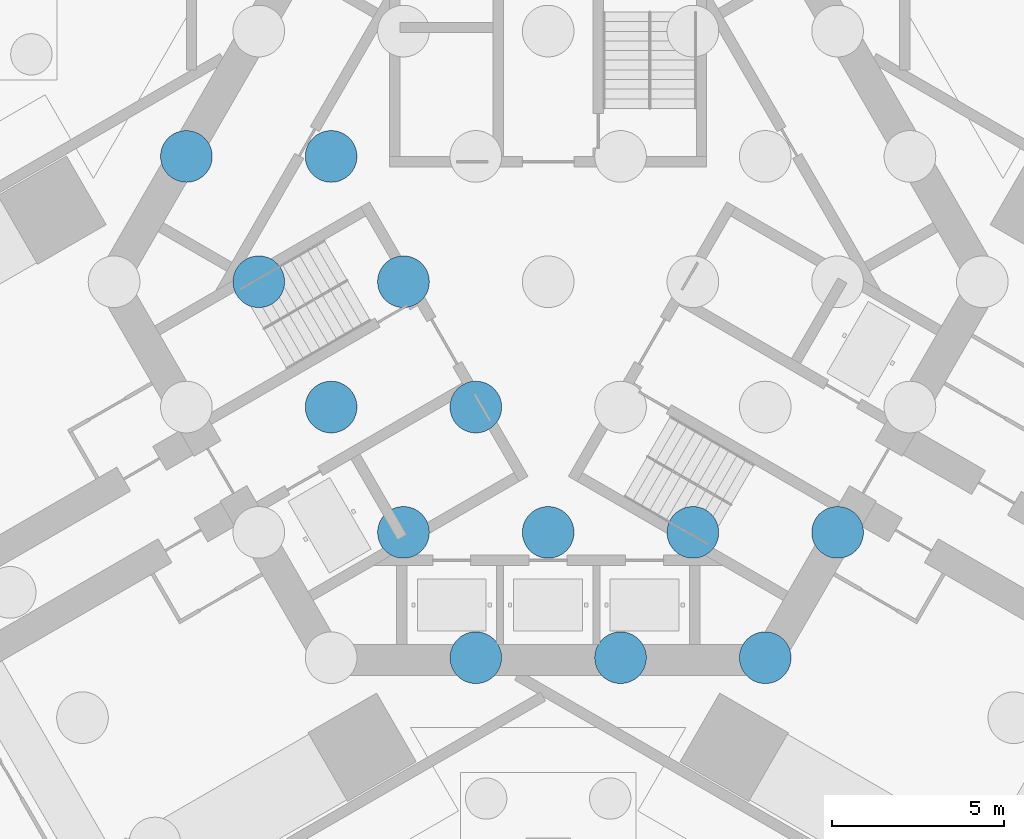
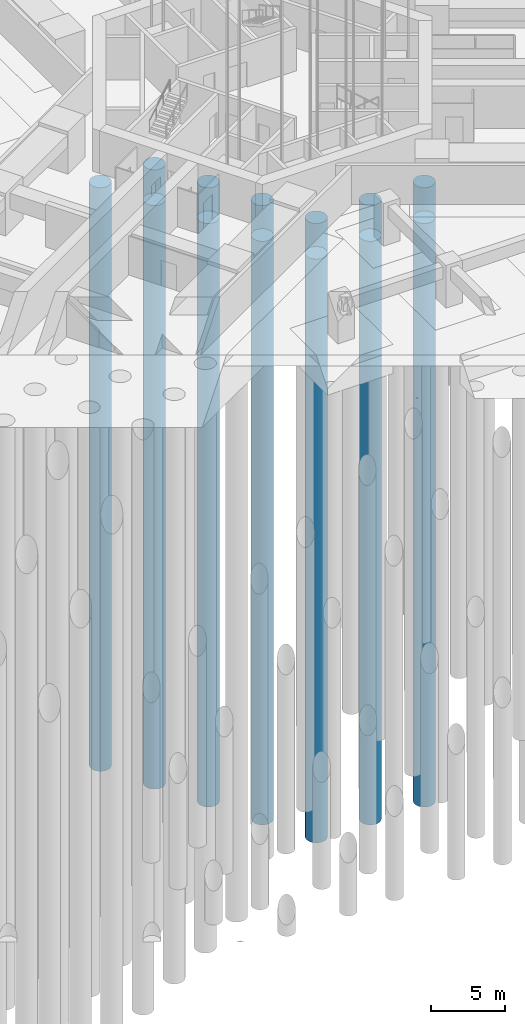
# One storey, part 16 of 73: 13 piles.
"""IFC4 building model written with IfcOpenShell, lengths in metres."""

from ifc_helpers import new_model, si_unit, direction, frame, origin, origin_2d, place, context, subcontext, project, spatial, polyline, circle, outline, extrude, material, material_profile, profile_set, type_object, element, save


model = new_model("IFC4")

# Units and contexts
model_context = context("Model", 3, precision=1e-05, world=origin(), true_north=direction((0.0, 1.0)))
body_context = subcontext(model_context, "Body", "Model", "MODEL_VIEW")
ifc_project = project(units=[si_unit("LENGTHUNIT", "METRE"), si_unit("AREAUNIT", "SQUARE_METRE"), si_unit("VOLUMEUNIT", "CUBIC_METRE"), si_unit("PLANEANGLEUNIT", "RADIAN"), si_unit("MASSUNIT", "GRAM", prefix="KILO")], contexts=[model_context])

# Site, building, storey
site_placement = place(None, origin())
site = spatial("IfcSite", under=ifc_project, at=site_placement, CompositionType="ELEMENT")
building_placement = place(site_placement, origin())
building = spatial("IfcBuilding", under=site, at=building_placement, Name="Impinga Residences", CompositionType="ELEMENT")
storey_placement = place(building_placement, frame((0.0, 0.0, -10.5)))
storey = spatial("IfcBuildingStorey", under=building, at=storey_placement, Name="B3", CompositionType="ELEMENT", Elevation=-10.5)

# Piles
ifc_material = material(Name="Concrete C35/45", Category="concrete")
ifc_material_profile = material_profile(ifc_material, circle(Radius=0.75, at=origin_2d()), Name="D1500")
ifc_profile_set = profile_set([ifc_material_profile], Name="Concrete C35/45")
pile_type = type_object("IfcPileType", Name="BP1 bored pile D1500", PredefinedType="BORED", material=ifc_profile_set)
pile_1_placement = place(storey_placement, frame((-2.10009765625, -10.911865234375, -4.0), z_axis=(0.0, 0.0, -1.0), x_axis=(1.0, 0.0, 0.0)))
element("IfcPile", 1, at=pile_1_placement, inside=storey, type_object=pile_type, Name="Raft pile BP1-060", PredefinedType="BORED", context=body_context, shape_type="SweptSolid", body=[
    extrude(outline(polyline([(0.75, 0.0), (0.746337890625, 0.073486328125), (0.735595703125, 0.146240234375), (0.7177734375, 0.2177734375), (0.69287109375, 0.287109375), (0.661376953125, 0.353515625), (0.62353515625, 0.416748046875), (0.579833984375, 0.475830078125), (0.5302734375, 0.5302734375), (0.475830078125, 0.579833984375), (0.416748046875, 0.62353515625), (0.353515625, 0.661376953125), (0.287109375, 0.69287109375), (0.2177734375, 0.7177734375), (0.146240234375, 0.735595703125), (0.073486328125, 0.746337890625), (0.0, 0.75), (-0.073486328125, 0.746337890625), (-0.146240234375, 0.735595703125), (-0.2177734375, 0.7177734375), (-0.287109375, 0.69287109375), (-0.353515625, 0.661376953125), (-0.416748046875, 0.62353515625), (-0.475830078125, 0.579833984375), (-0.5302734375, 0.5302734375), (-0.579833984375, 0.475830078125), (-0.62353515625, 0.416748046875), (-0.661376953125, 0.353515625), (-0.69287109375, 0.287109375), (-0.7177734375, 0.2177734375), (-0.735595703125, 0.146240234375), (-0.746337890625, 0.073486328125), (-0.75, 0.0), (-0.746337890625, -0.073486328125), (-0.735595703125, -0.146240234375), (-0.7177734375, -0.2177734375), (-0.69287109375, -0.287109375), (-0.661376953125, -0.353515625), (-0.62353515625, -0.416748046875), (-0.579833984375, -0.475830078125), (-0.5302734375, -0.5302734375), (-0.475830078125, -0.579833984375), (-0.416748046875, -0.62353515625), (-0.353515625, -0.661376953125), (-0.287109375, -0.69287109375), (-0.2177734375, -0.7177734375), (-0.146240234375, -0.735595703125), (-0.073486328125, -0.746337890625), (0.0, -0.75), (0.073486328125, -0.746337890625), (0.146240234375, -0.735595703125), (0.2177734375, -0.7177734375), (0.287109375, -0.69287109375), (0.353515625, -0.661376953125), (0.416748046875, -0.62353515625), (0.475830078125, -0.579833984375), (0.5302734375, -0.5302734375), (0.579833984375, -0.475830078125), (0.62353515625, -0.416748046875), (0.661376953125, -0.353515625), (0.69287109375, -0.287109375), (0.7177734375, -0.2177734375), (0.735595703125, -0.146240234375), (0.746337890625, -0.073486328125), (0.75, 0.0)])), origin(), (0.0, 0.0, 1.0), 48.0),
])
pile_2_placement = place(storey_placement, frame((2.10009765625, -10.911865234375, -4.0), z_axis=(0.0, 0.0, -1.0), x_axis=(1.0, 0.0, 0.0)))
element("IfcPile", 2, at=pile_2_placement, inside=storey, type_object=pile_type, Name="Raft pile BP1-061", PredefinedType="BORED", context=body_context, shape_type="SweptSolid", body=[
    extrude(outline(polyline([(0.75, 0.0), (0.746337890625, 0.073486328125), (0.735595703125, 0.146240234375), (0.7177734375, 0.2177734375), (0.69287109375, 0.287109375), (0.661376953125, 0.353515625), (0.62353515625, 0.416748046875), (0.579833984375, 0.475830078125), (0.5302734375, 0.5302734375), (0.475830078125, 0.579833984375), (0.416748046875, 0.62353515625), (0.353515625, 0.661376953125), (0.287109375, 0.69287109375), (0.2177734375, 0.7177734375), (0.146240234375, 0.735595703125), (0.073486328125, 0.746337890625), (0.0, 0.75), (-0.073486328125, 0.746337890625), (-0.146240234375, 0.735595703125), (-0.2177734375, 0.7177734375), (-0.287109375, 0.69287109375), (-0.353515625, 0.661376953125), (-0.416748046875, 0.62353515625), (-0.475830078125, 0.579833984375), (-0.5302734375, 0.5302734375), (-0.579833984375, 0.475830078125), (-0.62353515625, 0.416748046875), (-0.661376953125, 0.353515625), (-0.69287109375, 0.287109375), (-0.7177734375, 0.2177734375), (-0.735595703125, 0.146240234375), (-0.746337890625, 0.073486328125), (-0.75, 0.0), (-0.746337890625, -0.073486328125), (-0.735595703125, -0.146240234375), (-0.7177734375, -0.2177734375), (-0.69287109375, -0.287109375), (-0.661376953125, -0.353515625), (-0.62353515625, -0.416748046875), (-0.579833984375, -0.475830078125), (-0.5302734375, -0.5302734375), (-0.475830078125, -0.579833984375), (-0.416748046875, -0.62353515625), (-0.353515625, -0.661376953125), (-0.287109375, -0.69287109375), (-0.2177734375, -0.7177734375), (-0.146240234375, -0.735595703125), (-0.073486328125, -0.746337890625), (0.0, -0.75), (0.073486328125, -0.746337890625), (0.146240234375, -0.735595703125), (0.2177734375, -0.7177734375), (0.287109375, -0.69287109375), (0.353515625, -0.661376953125), (0.416748046875, -0.62353515625), (0.475830078125, -0.579833984375), (0.5302734375, -0.5302734375), (0.579833984375, -0.475830078125), (0.62353515625, -0.416748046875), (0.661376953125, -0.353515625), (0.69287109375, -0.287109375), (0.7177734375, -0.2177734375), (0.735595703125, -0.146240234375), (0.746337890625, -0.073486328125), (0.75, 0.0)])), origin(), (0.0, 0.0, 1.0), 48.0),
])
pile_3_placement = place(storey_placement, frame((6.300048828125, -10.911865234375, -4.0), z_axis=(0.0, 0.0, -1.0), x_axis=(1.0, 0.0, 0.0)))
element("IfcPile", 3, at=pile_3_placement, inside=storey, type_object=pile_type, Name="Raft pile BP1-062", PredefinedType="BORED", context=body_context, shape_type="SweptSolid", body=[
    extrude(outline(polyline([(0.75, 0.0), (0.746337890625, 0.073486328125), (0.735595703125, 0.146240234375), (0.7177734375, 0.2177734375), (0.69287109375, 0.287109375), (0.661376953125, 0.353515625), (0.62353515625, 0.416748046875), (0.579833984375, 0.475830078125), (0.5302734375, 0.5302734375), (0.475830078125, 0.579833984375), (0.416748046875, 0.62353515625), (0.353515625, 0.661376953125), (0.287109375, 0.69287109375), (0.2177734375, 0.7177734375), (0.146240234375, 0.735595703125), (0.073486328125, 0.746337890625), (0.0, 0.75), (-0.073486328125, 0.746337890625), (-0.146240234375, 0.735595703125), (-0.2177734375, 0.7177734375), (-0.287109375, 0.69287109375), (-0.353515625, 0.661376953125), (-0.416748046875, 0.62353515625), (-0.475830078125, 0.579833984375), (-0.5302734375, 0.5302734375), (-0.579833984375, 0.475830078125), (-0.62353515625, 0.416748046875), (-0.661376953125, 0.353515625), (-0.69287109375, 0.287109375), (-0.7177734375, 0.2177734375), (-0.735595703125, 0.146240234375), (-0.746337890625, 0.073486328125), (-0.75, 0.0), (-0.746337890625, -0.073486328125), (-0.735595703125, -0.146240234375), (-0.7177734375, -0.2177734375), (-0.69287109375, -0.287109375), (-0.661376953125, -0.353515625), (-0.62353515625, -0.416748046875), (-0.579833984375, -0.475830078125), (-0.5302734375, -0.5302734375), (-0.475830078125, -0.579833984375), (-0.416748046875, -0.62353515625), (-0.353515625, -0.661376953125), (-0.287109375, -0.69287109375), (-0.2177734375, -0.7177734375), (-0.146240234375, -0.735595703125), (-0.073486328125, -0.746337890625), (0.0, -0.75), (0.073486328125, -0.746337890625), (0.146240234375, -0.735595703125), (0.2177734375, -0.7177734375), (0.287109375, -0.69287109375), (0.353515625, -0.661376953125), (0.416748046875, -0.62353515625), (0.475830078125, -0.579833984375), (0.5302734375, -0.5302734375), (0.579833984375, -0.475830078125), (0.62353515625, -0.416748046875), (0.661376953125, -0.353515625), (0.69287109375, -0.287109375), (0.7177734375, -0.2177734375), (0.735595703125, -0.146240234375), (0.746337890625, -0.073486328125), (0.75, 0.0)])), origin(), (0.0, 0.0, 1.0), 48.0),
])
pile_4_placement = place(storey_placement, frame((-4.199951171875, -7.274658203125, -4.0), z_axis=(0.0, 0.0, -1.0), x_axis=(1.0, 0.0, 0.0)))
element("IfcPile", 4, at=pile_4_placement, inside=storey, type_object=pile_type, Name="Raft pile BP1-074", PredefinedType="BORED", context=body_context, shape_type="SweptSolid", body=[
    extrude(outline(polyline([(0.75, 0.0), (0.746337890625, 0.073486328125), (0.735595703125, 0.146240234375), (0.7177734375, 0.2177734375), (0.69287109375, 0.287109375), (0.661376953125, 0.353515625), (0.62353515625, 0.416748046875), (0.579833984375, 0.475830078125), (0.5302734375, 0.5302734375), (0.475830078125, 0.579833984375), (0.416748046875, 0.62353515625), (0.353515625, 0.661376953125), (0.287109375, 0.69287109375), (0.2177734375, 0.7177734375), (0.146240234375, 0.735595703125), (0.073486328125, 0.746337890625), (0.0, 0.75), (-0.073486328125, 0.746337890625), (-0.146240234375, 0.735595703125), (-0.2177734375, 0.7177734375), (-0.287109375, 0.69287109375), (-0.353515625, 0.661376953125), (-0.416748046875, 0.62353515625), (-0.475830078125, 0.579833984375), (-0.5302734375, 0.5302734375), (-0.579833984375, 0.475830078125), (-0.62353515625, 0.416748046875), (-0.661376953125, 0.353515625), (-0.69287109375, 0.287109375), (-0.7177734375, 0.2177734375), (-0.735595703125, 0.146240234375), (-0.746337890625, 0.073486328125), (-0.75, 0.0), (-0.746337890625, -0.073486328125), (-0.735595703125, -0.146240234375), (-0.7177734375, -0.2177734375), (-0.69287109375, -0.287109375), (-0.661376953125, -0.353515625), (-0.62353515625, -0.416748046875), (-0.579833984375, -0.475830078125), (-0.5302734375, -0.5302734375), (-0.475830078125, -0.579833984375), (-0.416748046875, -0.62353515625), (-0.353515625, -0.661376953125), (-0.287109375, -0.69287109375), (-0.2177734375, -0.7177734375), (-0.146240234375, -0.735595703125), (-0.073486328125, -0.746337890625), (0.0, -0.75), (0.073486328125, -0.746337890625), (0.146240234375, -0.735595703125), (0.2177734375, -0.7177734375), (0.287109375, -0.69287109375), (0.353515625, -0.661376953125), (0.416748046875, -0.62353515625), (0.475830078125, -0.579833984375), (0.5302734375, -0.5302734375), (0.579833984375, -0.475830078125), (0.62353515625, -0.416748046875), (0.661376953125, -0.353515625), (0.69287109375, -0.287109375), (0.7177734375, -0.2177734375), (0.735595703125, -0.146240234375), (0.746337890625, -0.073486328125), (0.75, 0.0)])), origin(), (0.0, 0.0, 1.0), 48.0),
])
pile_5_placement = place(storey_placement, frame((0.0, -7.274658203125, -4.0), z_axis=(0.0, 0.0, -1.0), x_axis=(1.0, 0.0, 0.0)))
element("IfcPile", 5, at=pile_5_placement, inside=storey, type_object=pile_type, Name="Raft pile BP1-075", PredefinedType="BORED", context=body_context, shape_type="SweptSolid", body=[
    extrude(outline(polyline([(0.75, 0.0), (0.746337890625, 0.073486328125), (0.735595703125, 0.146240234375), (0.7177734375, 0.2177734375), (0.69287109375, 0.287109375), (0.661376953125, 0.353515625), (0.62353515625, 0.416748046875), (0.579833984375, 0.475830078125), (0.5302734375, 0.5302734375), (0.475830078125, 0.579833984375), (0.416748046875, 0.62353515625), (0.353515625, 0.661376953125), (0.287109375, 0.69287109375), (0.2177734375, 0.7177734375), (0.146240234375, 0.735595703125), (0.073486328125, 0.746337890625), (0.0, 0.75), (-0.073486328125, 0.746337890625), (-0.146240234375, 0.735595703125), (-0.2177734375, 0.7177734375), (-0.287109375, 0.69287109375), (-0.353515625, 0.661376953125), (-0.416748046875, 0.62353515625), (-0.475830078125, 0.579833984375), (-0.5302734375, 0.5302734375), (-0.579833984375, 0.475830078125), (-0.62353515625, 0.416748046875), (-0.661376953125, 0.353515625), (-0.69287109375, 0.287109375), (-0.7177734375, 0.2177734375), (-0.735595703125, 0.146240234375), (-0.746337890625, 0.073486328125), (-0.75, 0.0), (-0.746337890625, -0.073486328125), (-0.735595703125, -0.146240234375), (-0.7177734375, -0.2177734375), (-0.69287109375, -0.287109375), (-0.661376953125, -0.353515625), (-0.62353515625, -0.416748046875), (-0.579833984375, -0.475830078125), (-0.5302734375, -0.5302734375), (-0.475830078125, -0.579833984375), (-0.416748046875, -0.62353515625), (-0.353515625, -0.661376953125), (-0.287109375, -0.69287109375), (-0.2177734375, -0.7177734375), (-0.146240234375, -0.735595703125), (-0.073486328125, -0.746337890625), (0.0, -0.75), (0.073486328125, -0.746337890625), (0.146240234375, -0.735595703125), (0.2177734375, -0.7177734375), (0.287109375, -0.69287109375), (0.353515625, -0.661376953125), (0.416748046875, -0.62353515625), (0.475830078125, -0.579833984375), (0.5302734375, -0.5302734375), (0.579833984375, -0.475830078125), (0.62353515625, -0.416748046875), (0.661376953125, -0.353515625), (0.69287109375, -0.287109375), (0.7177734375, -0.2177734375), (0.735595703125, -0.146240234375), (0.746337890625, -0.073486328125), (0.75, 0.0)])), origin(), (0.0, 0.0, 1.0), 48.0),
])
pile_6_placement = place(storey_placement, frame((4.199951171875, -7.274658203125, -4.0), z_axis=(0.0, 0.0, -1.0), x_axis=(1.0, 0.0, 0.0)))
element("IfcPile", 6, at=pile_6_placement, inside=storey, type_object=pile_type, Name="Raft pile BP1-076", PredefinedType="BORED", context=body_context, shape_type="SweptSolid", body=[
    extrude(outline(polyline([(0.75, 0.0), (0.746337890625, 0.073486328125), (0.735595703125, 0.146240234375), (0.7177734375, 0.2177734375), (0.69287109375, 0.287109375), (0.661376953125, 0.353515625), (0.62353515625, 0.416748046875), (0.579833984375, 0.475830078125), (0.5302734375, 0.5302734375), (0.475830078125, 0.579833984375), (0.416748046875, 0.62353515625), (0.353515625, 0.661376953125), (0.287109375, 0.69287109375), (0.2177734375, 0.7177734375), (0.146240234375, 0.735595703125), (0.073486328125, 0.746337890625), (0.0, 0.75), (-0.073486328125, 0.746337890625), (-0.146240234375, 0.735595703125), (-0.2177734375, 0.7177734375), (-0.287109375, 0.69287109375), (-0.353515625, 0.661376953125), (-0.416748046875, 0.62353515625), (-0.475830078125, 0.579833984375), (-0.5302734375, 0.5302734375), (-0.579833984375, 0.475830078125), (-0.62353515625, 0.416748046875), (-0.661376953125, 0.353515625), (-0.69287109375, 0.287109375), (-0.7177734375, 0.2177734375), (-0.735595703125, 0.146240234375), (-0.746337890625, 0.073486328125), (-0.75, 0.0), (-0.746337890625, -0.073486328125), (-0.735595703125, -0.146240234375), (-0.7177734375, -0.2177734375), (-0.69287109375, -0.287109375), (-0.661376953125, -0.353515625), (-0.62353515625, -0.416748046875), (-0.579833984375, -0.475830078125), (-0.5302734375, -0.5302734375), (-0.475830078125, -0.579833984375), (-0.416748046875, -0.62353515625), (-0.353515625, -0.661376953125), (-0.287109375, -0.69287109375), (-0.2177734375, -0.7177734375), (-0.146240234375, -0.735595703125), (-0.073486328125, -0.746337890625), (0.0, -0.75), (0.073486328125, -0.746337890625), (0.146240234375, -0.735595703125), (0.2177734375, -0.7177734375), (0.287109375, -0.69287109375), (0.353515625, -0.661376953125), (0.416748046875, -0.62353515625), (0.475830078125, -0.579833984375), (0.5302734375, -0.5302734375), (0.579833984375, -0.475830078125), (0.62353515625, -0.416748046875), (0.661376953125, -0.353515625), (0.69287109375, -0.287109375), (0.7177734375, -0.2177734375), (0.735595703125, -0.146240234375), (0.746337890625, -0.073486328125), (0.75, 0.0)])), origin(), (0.0, 0.0, 1.0), 48.0),
])
pile_7_placement = place(storey_placement, frame((8.39990234375, -7.274658203125, -4.0), z_axis=(0.0, 0.0, -1.0), x_axis=(1.0, 0.0, 0.0)))
element("IfcPile", 7, at=pile_7_placement, inside=storey, type_object=pile_type, Name="Raft pile BP1-077", PredefinedType="BORED", context=body_context, shape_type="SweptSolid", body=[
    extrude(outline(polyline([(0.75, 0.0), (0.746337890625, 0.073486328125), (0.735595703125, 0.146240234375), (0.7177734375, 0.2177734375), (0.69287109375, 0.287109375), (0.661376953125, 0.353515625), (0.62353515625, 0.416748046875), (0.579833984375, 0.475830078125), (0.5302734375, 0.5302734375), (0.475830078125, 0.579833984375), (0.416748046875, 0.62353515625), (0.353515625, 0.661376953125), (0.287109375, 0.69287109375), (0.2177734375, 0.7177734375), (0.146240234375, 0.735595703125), (0.073486328125, 0.746337890625), (0.0, 0.75), (-0.073486328125, 0.746337890625), (-0.146240234375, 0.735595703125), (-0.2177734375, 0.7177734375), (-0.287109375, 0.69287109375), (-0.353515625, 0.661376953125), (-0.416748046875, 0.62353515625), (-0.475830078125, 0.579833984375), (-0.5302734375, 0.5302734375), (-0.579833984375, 0.475830078125), (-0.62353515625, 0.416748046875), (-0.661376953125, 0.353515625), (-0.69287109375, 0.287109375), (-0.7177734375, 0.2177734375), (-0.735595703125, 0.146240234375), (-0.746337890625, 0.073486328125), (-0.75, 0.0), (-0.746337890625, -0.073486328125), (-0.735595703125, -0.146240234375), (-0.7177734375, -0.2177734375), (-0.69287109375, -0.287109375), (-0.661376953125, -0.353515625), (-0.62353515625, -0.416748046875), (-0.579833984375, -0.475830078125), (-0.5302734375, -0.5302734375), (-0.475830078125, -0.579833984375), (-0.416748046875, -0.62353515625), (-0.353515625, -0.661376953125), (-0.287109375, -0.69287109375), (-0.2177734375, -0.7177734375), (-0.146240234375, -0.735595703125), (-0.073486328125, -0.746337890625), (0.0, -0.75), (0.073486328125, -0.746337890625), (0.146240234375, -0.735595703125), (0.2177734375, -0.7177734375), (0.287109375, -0.69287109375), (0.353515625, -0.661376953125), (0.416748046875, -0.62353515625), (0.475830078125, -0.579833984375), (0.5302734375, -0.5302734375), (0.579833984375, -0.475830078125), (0.62353515625, -0.416748046875), (0.661376953125, -0.353515625), (0.69287109375, -0.287109375), (0.7177734375, -0.2177734375), (0.735595703125, -0.146240234375), (0.746337890625, -0.073486328125), (0.75, 0.0)])), origin(), (0.0, 0.0, 1.0), 48.0),
])
pile_8_placement = place(storey_placement, frame((-6.300048828125, -3.63720703125, -4.0), z_axis=(0.0, 0.0, -1.0), x_axis=(1.0, 0.0, 0.0)))
element("IfcPile", 8, at=pile_8_placement, inside=storey, type_object=pile_type, Name="Raft pile BP1-085", PredefinedType="BORED", context=body_context, shape_type="SweptSolid", body=[
    extrude(outline(polyline([(0.75, 0.0), (0.746337890625, 0.073486328125), (0.735595703125, 0.146240234375), (0.7177734375, 0.2177734375), (0.69287109375, 0.287109375), (0.661376953125, 0.353515625), (0.62353515625, 0.416748046875), (0.579833984375, 0.475830078125), (0.5302734375, 0.5302734375), (0.475830078125, 0.579833984375), (0.416748046875, 0.62353515625), (0.353515625, 0.661376953125), (0.287109375, 0.69287109375), (0.2177734375, 0.7177734375), (0.146240234375, 0.735595703125), (0.073486328125, 0.746337890625), (0.0, 0.75), (-0.073486328125, 0.746337890625), (-0.146240234375, 0.735595703125), (-0.2177734375, 0.7177734375), (-0.287109375, 0.69287109375), (-0.353515625, 0.661376953125), (-0.416748046875, 0.62353515625), (-0.475830078125, 0.579833984375), (-0.5302734375, 0.5302734375), (-0.579833984375, 0.475830078125), (-0.62353515625, 0.416748046875), (-0.661376953125, 0.353515625), (-0.69287109375, 0.287109375), (-0.7177734375, 0.2177734375), (-0.735595703125, 0.146240234375), (-0.746337890625, 0.073486328125), (-0.75, 0.0), (-0.746337890625, -0.073486328125), (-0.735595703125, -0.146240234375), (-0.7177734375, -0.2177734375), (-0.69287109375, -0.287109375), (-0.661376953125, -0.353515625), (-0.62353515625, -0.416748046875), (-0.579833984375, -0.475830078125), (-0.5302734375, -0.5302734375), (-0.475830078125, -0.579833984375), (-0.416748046875, -0.62353515625), (-0.353515625, -0.661376953125), (-0.287109375, -0.69287109375), (-0.2177734375, -0.7177734375), (-0.146240234375, -0.735595703125), (-0.073486328125, -0.746337890625), (0.0, -0.75), (0.073486328125, -0.746337890625), (0.146240234375, -0.735595703125), (0.2177734375, -0.7177734375), (0.287109375, -0.69287109375), (0.353515625, -0.661376953125), (0.416748046875, -0.62353515625), (0.475830078125, -0.579833984375), (0.5302734375, -0.5302734375), (0.579833984375, -0.475830078125), (0.62353515625, -0.416748046875), (0.661376953125, -0.353515625), (0.69287109375, -0.287109375), (0.7177734375, -0.2177734375), (0.735595703125, -0.146240234375), (0.746337890625, -0.073486328125), (0.75, 0.0)])), origin(), (0.0, 0.0, 1.0), 48.0),
])
pile_9_placement = place(storey_placement, frame((-2.10009765625, -3.63720703125, -4.0), z_axis=(0.0, 0.0, -1.0), x_axis=(1.0, 0.0, 0.0)))
element("IfcPile", 9, at=pile_9_placement, inside=storey, type_object=pile_type, Name="Raft pile BP1-086", PredefinedType="BORED", context=body_context, shape_type="SweptSolid", body=[
    extrude(outline(polyline([(0.75, 0.0), (0.746337890625, 0.073486328125), (0.735595703125, 0.146240234375), (0.7177734375, 0.2177734375), (0.69287109375, 0.287109375), (0.661376953125, 0.353515625), (0.62353515625, 0.416748046875), (0.579833984375, 0.475830078125), (0.5302734375, 0.5302734375), (0.475830078125, 0.579833984375), (0.416748046875, 0.62353515625), (0.353515625, 0.661376953125), (0.287109375, 0.69287109375), (0.2177734375, 0.7177734375), (0.146240234375, 0.735595703125), (0.073486328125, 0.746337890625), (0.0, 0.75), (-0.073486328125, 0.746337890625), (-0.146240234375, 0.735595703125), (-0.2177734375, 0.7177734375), (-0.287109375, 0.69287109375), (-0.353515625, 0.661376953125), (-0.416748046875, 0.62353515625), (-0.475830078125, 0.579833984375), (-0.5302734375, 0.5302734375), (-0.579833984375, 0.475830078125), (-0.62353515625, 0.416748046875), (-0.661376953125, 0.353515625), (-0.69287109375, 0.287109375), (-0.7177734375, 0.2177734375), (-0.735595703125, 0.146240234375), (-0.746337890625, 0.073486328125), (-0.75, 0.0), (-0.746337890625, -0.073486328125), (-0.735595703125, -0.146240234375), (-0.7177734375, -0.2177734375), (-0.69287109375, -0.287109375), (-0.661376953125, -0.353515625), (-0.62353515625, -0.416748046875), (-0.579833984375, -0.475830078125), (-0.5302734375, -0.5302734375), (-0.475830078125, -0.579833984375), (-0.416748046875, -0.62353515625), (-0.353515625, -0.661376953125), (-0.287109375, -0.69287109375), (-0.2177734375, -0.7177734375), (-0.146240234375, -0.735595703125), (-0.073486328125, -0.746337890625), (0.0, -0.75), (0.073486328125, -0.746337890625), (0.146240234375, -0.735595703125), (0.2177734375, -0.7177734375), (0.287109375, -0.69287109375), (0.353515625, -0.661376953125), (0.416748046875, -0.62353515625), (0.475830078125, -0.579833984375), (0.5302734375, -0.5302734375), (0.579833984375, -0.475830078125), (0.62353515625, -0.416748046875), (0.661376953125, -0.353515625), (0.69287109375, -0.287109375), (0.7177734375, -0.2177734375), (0.735595703125, -0.146240234375), (0.746337890625, -0.073486328125), (0.75, 0.0)])), origin(), (0.0, 0.0, 1.0), 48.0),
])
pile_10_placement = place(storey_placement, frame((-8.39990234375, 0.0, -4.0), z_axis=(0.0, 0.0, -1.0), x_axis=(1.0, 0.0, 0.0)))
element("IfcPile", 10, at=pile_10_placement, inside=storey, type_object=pile_type, Name="Raft pile BP1-093", PredefinedType="BORED", context=body_context, shape_type="SweptSolid", body=[
    extrude(outline(polyline([(0.75, 0.0), (0.746337890625, 0.073486328125), (0.735595703125, 0.146240234375), (0.7177734375, 0.2177734375), (0.69287109375, 0.287109375), (0.661376953125, 0.353515625), (0.62353515625, 0.416748046875), (0.579833984375, 0.475830078125), (0.5302734375, 0.5302734375), (0.475830078125, 0.579833984375), (0.416748046875, 0.62353515625), (0.353515625, 0.661376953125), (0.287109375, 0.69287109375), (0.2177734375, 0.7177734375), (0.146240234375, 0.735595703125), (0.073486328125, 0.746337890625), (0.0, 0.75), (-0.073486328125, 0.746337890625), (-0.146240234375, 0.735595703125), (-0.2177734375, 0.7177734375), (-0.287109375, 0.69287109375), (-0.353515625, 0.661376953125), (-0.416748046875, 0.62353515625), (-0.475830078125, 0.579833984375), (-0.5302734375, 0.5302734375), (-0.579833984375, 0.475830078125), (-0.62353515625, 0.416748046875), (-0.661376953125, 0.353515625), (-0.69287109375, 0.287109375), (-0.7177734375, 0.2177734375), (-0.735595703125, 0.146240234375), (-0.746337890625, 0.073486328125), (-0.75, 0.0), (-0.746337890625, -0.073486328125), (-0.735595703125, -0.146240234375), (-0.7177734375, -0.2177734375), (-0.69287109375, -0.287109375), (-0.661376953125, -0.353515625), (-0.62353515625, -0.416748046875), (-0.579833984375, -0.475830078125), (-0.5302734375, -0.5302734375), (-0.475830078125, -0.579833984375), (-0.416748046875, -0.62353515625), (-0.353515625, -0.661376953125), (-0.287109375, -0.69287109375), (-0.2177734375, -0.7177734375), (-0.146240234375, -0.735595703125), (-0.073486328125, -0.746337890625), (0.0, -0.75), (0.073486328125, -0.746337890625), (0.146240234375, -0.735595703125), (0.2177734375, -0.7177734375), (0.287109375, -0.69287109375), (0.353515625, -0.661376953125), (0.416748046875, -0.62353515625), (0.475830078125, -0.579833984375), (0.5302734375, -0.5302734375), (0.579833984375, -0.475830078125), (0.62353515625, -0.416748046875), (0.661376953125, -0.353515625), (0.69287109375, -0.287109375), (0.7177734375, -0.2177734375), (0.735595703125, -0.146240234375), (0.746337890625, -0.073486328125), (0.75, 0.0)])), origin(), (0.0, 0.0, 1.0), 48.0),
])
pile_11_placement = place(storey_placement, frame((-4.199951171875, 0.0, -4.0), z_axis=(0.0, 0.0, -1.0), x_axis=(1.0, 0.0, 0.0)))
element("IfcPile", 11, at=pile_11_placement, inside=storey, type_object=pile_type, Name="Raft pile BP1-094", PredefinedType="BORED", context=body_context, shape_type="SweptSolid", body=[
    extrude(outline(polyline([(0.75, 0.0), (0.746337890625, 0.073486328125), (0.735595703125, 0.146240234375), (0.7177734375, 0.2177734375), (0.69287109375, 0.287109375), (0.661376953125, 0.353515625), (0.62353515625, 0.416748046875), (0.579833984375, 0.475830078125), (0.5302734375, 0.5302734375), (0.475830078125, 0.579833984375), (0.416748046875, 0.62353515625), (0.353515625, 0.661376953125), (0.287109375, 0.69287109375), (0.2177734375, 0.7177734375), (0.146240234375, 0.735595703125), (0.073486328125, 0.746337890625), (0.0, 0.75), (-0.073486328125, 0.746337890625), (-0.146240234375, 0.735595703125), (-0.2177734375, 0.7177734375), (-0.287109375, 0.69287109375), (-0.353515625, 0.661376953125), (-0.416748046875, 0.62353515625), (-0.475830078125, 0.579833984375), (-0.5302734375, 0.5302734375), (-0.579833984375, 0.475830078125), (-0.62353515625, 0.416748046875), (-0.661376953125, 0.353515625), (-0.69287109375, 0.287109375), (-0.7177734375, 0.2177734375), (-0.735595703125, 0.146240234375), (-0.746337890625, 0.073486328125), (-0.75, 0.0), (-0.746337890625, -0.073486328125), (-0.735595703125, -0.146240234375), (-0.7177734375, -0.2177734375), (-0.69287109375, -0.287109375), (-0.661376953125, -0.353515625), (-0.62353515625, -0.416748046875), (-0.579833984375, -0.475830078125), (-0.5302734375, -0.5302734375), (-0.475830078125, -0.579833984375), (-0.416748046875, -0.62353515625), (-0.353515625, -0.661376953125), (-0.287109375, -0.69287109375), (-0.2177734375, -0.7177734375), (-0.146240234375, -0.735595703125), (-0.073486328125, -0.746337890625), (0.0, -0.75), (0.073486328125, -0.746337890625), (0.146240234375, -0.735595703125), (0.2177734375, -0.7177734375), (0.287109375, -0.69287109375), (0.353515625, -0.661376953125), (0.416748046875, -0.62353515625), (0.475830078125, -0.579833984375), (0.5302734375, -0.5302734375), (0.579833984375, -0.475830078125), (0.62353515625, -0.416748046875), (0.661376953125, -0.353515625), (0.69287109375, -0.287109375), (0.7177734375, -0.2177734375), (0.735595703125, -0.146240234375), (0.746337890625, -0.073486328125), (0.75, 0.0)])), origin(), (0.0, 0.0, 1.0), 48.0),
])
pile_12_placement = place(storey_placement, frame((-10.5, 3.63720703125, -4.0), z_axis=(0.0, 0.0, -1.0), x_axis=(1.0, 0.0, 0.0)))
element("IfcPile", 12, at=pile_12_placement, inside=storey, type_object=pile_type, Name="Raft pile BP1-099", PredefinedType="BORED", context=body_context, shape_type="SweptSolid", body=[
    extrude(outline(polyline([(0.75, 0.0), (0.746337890625, 0.073486328125), (0.735595703125, 0.146240234375), (0.7177734375, 0.2177734375), (0.69287109375, 0.287109375), (0.661376953125, 0.353515625), (0.62353515625, 0.416748046875), (0.579833984375, 0.475830078125), (0.5302734375, 0.5302734375), (0.475830078125, 0.579833984375), (0.416748046875, 0.62353515625), (0.353515625, 0.661376953125), (0.287109375, 0.69287109375), (0.2177734375, 0.7177734375), (0.146240234375, 0.735595703125), (0.073486328125, 0.746337890625), (0.0, 0.75), (-0.073486328125, 0.746337890625), (-0.146240234375, 0.735595703125), (-0.2177734375, 0.7177734375), (-0.287109375, 0.69287109375), (-0.353515625, 0.661376953125), (-0.416748046875, 0.62353515625), (-0.475830078125, 0.579833984375), (-0.5302734375, 0.5302734375), (-0.579833984375, 0.475830078125), (-0.62353515625, 0.416748046875), (-0.661376953125, 0.353515625), (-0.69287109375, 0.287109375), (-0.7177734375, 0.2177734375), (-0.735595703125, 0.146240234375), (-0.746337890625, 0.073486328125), (-0.75, 0.0), (-0.746337890625, -0.073486328125), (-0.735595703125, -0.146240234375), (-0.7177734375, -0.2177734375), (-0.69287109375, -0.287109375), (-0.661376953125, -0.353515625), (-0.62353515625, -0.416748046875), (-0.579833984375, -0.475830078125), (-0.5302734375, -0.5302734375), (-0.475830078125, -0.579833984375), (-0.416748046875, -0.62353515625), (-0.353515625, -0.661376953125), (-0.287109375, -0.69287109375), (-0.2177734375, -0.7177734375), (-0.146240234375, -0.735595703125), (-0.073486328125, -0.746337890625), (0.0, -0.75), (0.073486328125, -0.746337890625), (0.146240234375, -0.735595703125), (0.2177734375, -0.7177734375), (0.287109375, -0.69287109375), (0.353515625, -0.661376953125), (0.416748046875, -0.62353515625), (0.475830078125, -0.579833984375), (0.5302734375, -0.5302734375), (0.579833984375, -0.475830078125), (0.62353515625, -0.416748046875), (0.661376953125, -0.353515625), (0.69287109375, -0.287109375), (0.7177734375, -0.2177734375), (0.735595703125, -0.146240234375), (0.746337890625, -0.073486328125), (0.75, 0.0)])), origin(), (0.0, 0.0, 1.0), 48.0),
])
pile_13_placement = place(storey_placement, frame((-6.300048828125, 3.63720703125, -4.0), z_axis=(0.0, 0.0, -1.0), x_axis=(1.0, 0.0, 0.0)))
element("IfcPile", 13, at=pile_13_placement, inside=storey, type_object=pile_type, Name="Raft pile BP1-100", PredefinedType="BORED", context=body_context, shape_type="SweptSolid", body=[
    extrude(outline(polyline([(0.75, 0.0), (0.746337890625, 0.073486328125), (0.735595703125, 0.146240234375), (0.7177734375, 0.2177734375), (0.69287109375, 0.287109375), (0.661376953125, 0.353515625), (0.62353515625, 0.416748046875), (0.579833984375, 0.475830078125), (0.5302734375, 0.5302734375), (0.475830078125, 0.579833984375), (0.416748046875, 0.62353515625), (0.353515625, 0.661376953125), (0.287109375, 0.69287109375), (0.2177734375, 0.7177734375), (0.146240234375, 0.735595703125), (0.073486328125, 0.746337890625), (0.0, 0.75), (-0.073486328125, 0.746337890625), (-0.146240234375, 0.735595703125), (-0.2177734375, 0.7177734375), (-0.287109375, 0.69287109375), (-0.353515625, 0.661376953125), (-0.416748046875, 0.62353515625), (-0.475830078125, 0.579833984375), (-0.5302734375, 0.5302734375), (-0.579833984375, 0.475830078125), (-0.62353515625, 0.416748046875), (-0.661376953125, 0.353515625), (-0.69287109375, 0.287109375), (-0.7177734375, 0.2177734375), (-0.735595703125, 0.146240234375), (-0.746337890625, 0.073486328125), (-0.75, 0.0), (-0.746337890625, -0.073486328125), (-0.735595703125, -0.146240234375), (-0.7177734375, -0.2177734375), (-0.69287109375, -0.287109375), (-0.661376953125, -0.353515625), (-0.62353515625, -0.416748046875), (-0.579833984375, -0.475830078125), (-0.5302734375, -0.5302734375), (-0.475830078125, -0.579833984375), (-0.416748046875, -0.62353515625), (-0.353515625, -0.661376953125), (-0.287109375, -0.69287109375), (-0.2177734375, -0.7177734375), (-0.146240234375, -0.735595703125), (-0.073486328125, -0.746337890625), (0.0, -0.75), (0.073486328125, -0.746337890625), (0.146240234375, -0.735595703125), (0.2177734375, -0.7177734375), (0.287109375, -0.69287109375), (0.353515625, -0.661376953125), (0.416748046875, -0.62353515625), (0.475830078125, -0.579833984375), (0.5302734375, -0.5302734375), (0.579833984375, -0.475830078125), (0.62353515625, -0.416748046875), (0.661376953125, -0.353515625), (0.69287109375, -0.287109375), (0.7177734375, -0.2177734375), (0.735595703125, -0.146240234375), (0.746337890625, -0.073486328125), (0.75, 0.0)])), origin(), (0.0, 0.0, 1.0), 48.0),
])

save(model, "model.ifc")
